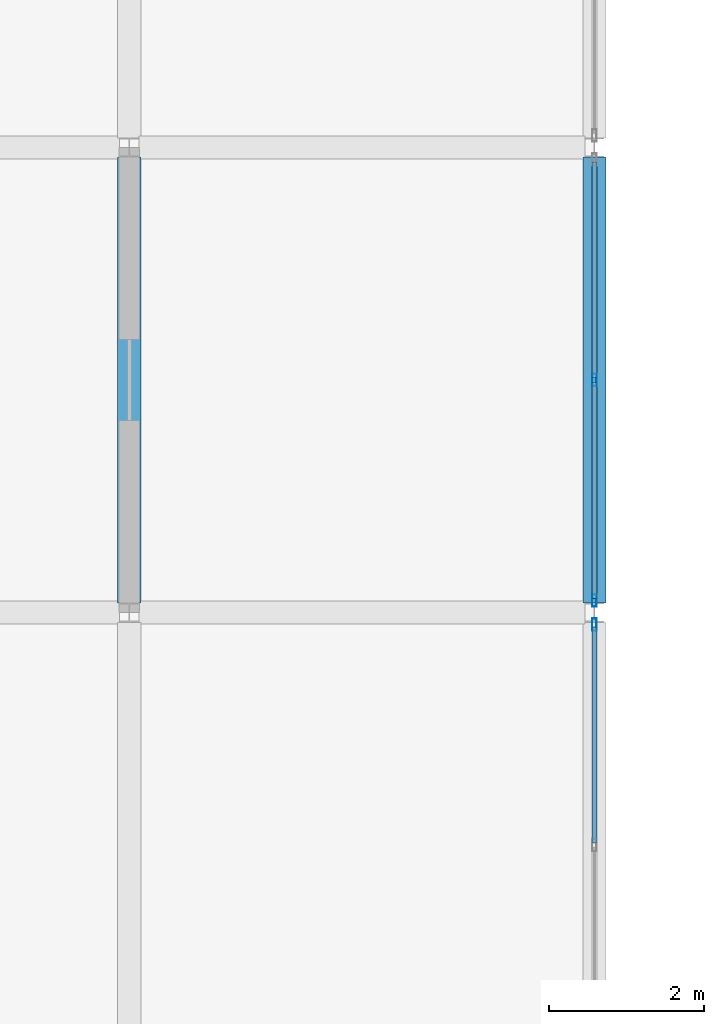
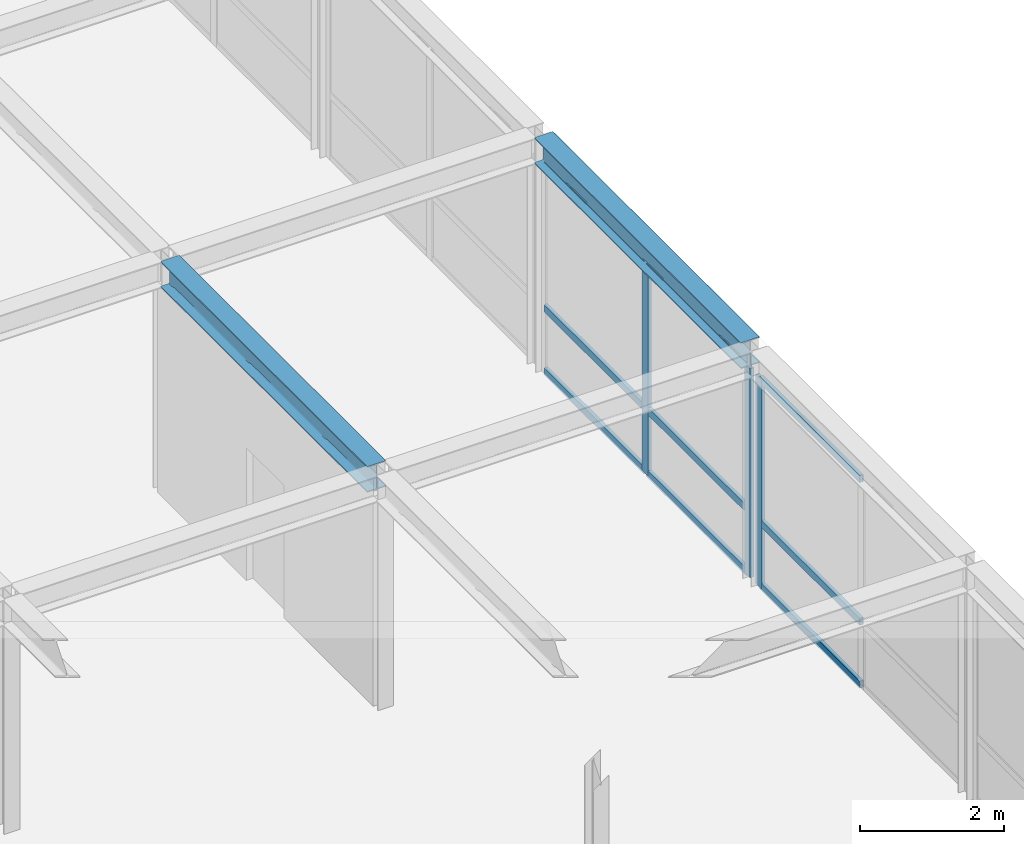
# One storey, part 66 of 111: 12 members, 2 beams, 2 elements without a shape of their own.
"""IFC4 building model written with IfcOpenShell, lengths in metres."""

from ifc_helpers import new_model, si_unit, direction, frame, origin, origin_2d, place, context, subcontext, project, spatial, hollow_rectangle, i_section, extrude, material, layer, layer_set, material_profile, profile_set, type_object, element, aggregate, save


model = new_model("IFC4")

# Units and contexts
model_context = context("Model", 3, precision=1e-05, world=origin(), true_north=direction((0.0, 1.0)))
body_context = subcontext(model_context, "Body", "Model", "MODEL_VIEW")
ifc_project = project(units=[si_unit("LENGTHUNIT", "METRE"), si_unit("AREAUNIT", "SQUARE_METRE"), si_unit("VOLUMEUNIT", "CUBIC_METRE"), si_unit("PLANEANGLEUNIT", "RADIAN"), si_unit("MASSUNIT", "GRAM", prefix="KILO")], contexts=[model_context])

# Site, building, storey
site_placement = place(None, origin())
site = spatial("IfcSite", under=ifc_project, at=site_placement, CompositionType="ELEMENT")
building_placement = place(site_placement, origin())
building = spatial("IfcBuilding", under=site, at=building_placement, Name="Zlatovratsky Civic Hall", CompositionType="ELEMENT")
storey_placement = place(building_placement, frame((0.0, 0.0, 16.5)))
storey = spatial("IfcBuildingStorey", under=building, at=storey_placement, Name="L04", CompositionType="ELEMENT", Elevation=16.5)

# Beams
ifc_material_1 = material(Name="Steel S355", Category="steel")
ifc_material_profile_1 = material_profile(ifc_material_1, i_section(OverallWidth=0.300048828125, OverallDepth=0.43994140625, WebThickness=0.010986328125, FlangeThickness=0.01806640625, FilletRadius=0.02197265625, at=origin_2d()), Name="45Sh1")
ifc_profile_set_1 = profile_set([ifc_material_profile_1], Name="Steel S355")
beam_type = type_object("IfcBeamType", Name="Beam_TowerLow_45Sh1", PredefinedType="BEAM", material=ifc_profile_set_1)
for number, where, z_axis, x_axis, name in (
    (1, (114.0, 42.125, 3.780029296875), (0.0, 1.0, 0.0), (-1.0, 0.0, 0.0), "BM-3727"),
    (2, (120.0, 42.125, 3.780029296875), (0.0, 1.0, 0.0), (-1.0, 0.0, 0.0), "BM-3744"),
):
    element("IfcBeam", number, at=place(storey_placement, frame(where, z_axis=z_axis, x_axis=x_axis)), inside=storey, type_object=beam_type, Name=name, PredefinedType="BEAM", context=body_context, shape_type="SweptSolid", body=[
        extrude(i_section(OverallWidth=0.300048828125, OverallDepth=0.43994140625, WebThickness=0.010986328125, FlangeThickness=0.01806640625, FilletRadius=0.02197265625, at=origin_2d()), origin(), (0.0, 0.0, 1.0), 5.75),
    ])

# Curtain wall, member
ifc_material_2 = material(Name="Anodised bronze aluminium", Category="aluminium")
ifc_layer = layer(ifc_material_2, 0.159912109375)
ifc_layer_set = layer_set([ifc_layer], Name="Anodised bronze aluminium")
curtain_wall_type = type_object("IfcCurtainWallType", Name="CurtainWall_Bronze_5750x3550_18", PredefinedType="NOTDEFINED", material=ifc_layer_set)
curtain_wall_1_placement = place(storey_placement, origin())
curtain_wall_1 = element("IfcCurtainWall", 3, at=curtain_wall_1_placement, inside=storey, type_object=curtain_wall_type, Name="CW-118", PredefinedType="NOTDEFINED")
ifc_material_profile_2 = material_profile(ifc_material_2, hollow_rectangle(XDim=0.06005859375, YDim=0.159912109375, WallThickness=0.00390625, at=origin_2d()), Name="ALU 60x160x4")
ifc_profile_set_2 = profile_set([ifc_material_profile_2], Name="Anodised bronze aluminium")
member_type_1 = type_object("IfcMemberType", Name="CW_Mullion_60x160", PredefinedType="MULLION", material=ifc_profile_set_2)
member_1_placement = place(storey_placement, frame((120.0, 41.844970703125, 0.0), z_axis=(0.0, 0.0, 1.0), x_axis=(-1.0, 0.0, 0.0)))
member_1 = element("IfcMember", 4, at=member_1_placement, type_object=member_type_1, Name="CW-18 mullion 3", PredefinedType="MULLION", context=body_context, shape_type="SweptSolid", body=[
    extrude(hollow_rectangle(XDim=0.06005859375, YDim=0.159912109375, WallThickness=0.00390625, at=origin_2d()), origin(), (0.0, 0.0, 1.0), 3.550048828125),
])

# Curtain wall, members
curtain_wall_2_placement = place(storey_placement, origin())
curtain_wall_2 = element("IfcCurtainWall", 5, at=curtain_wall_2_placement, inside=storey, type_object=curtain_wall_type, Name="CW-119", PredefinedType="NOTDEFINED")
member_2_placement = place(storey_placement, frame((120.0, 42.155029296875, 0.0), z_axis=(0.0, 0.0, 1.0), x_axis=(-1.0, 0.0, 0.0)))
member_2 = element("IfcMember", 6, at=member_2_placement, type_object=member_type_1, Name="CW-18 mullion 1", PredefinedType="MULLION", context=body_context, shape_type="SweptSolid", body=[
    extrude(hollow_rectangle(XDim=0.06005859375, YDim=0.159912109375, WallThickness=0.00390625, at=origin_2d()), origin(), (0.0, 0.0, 1.0), 3.550048828125),
])
member_3_placement = place(storey_placement, frame((120.0, 45.0, 0.0), z_axis=(0.0, 0.0, 1.0), x_axis=(-1.0, 0.0, 0.0)))
member_3 = element("IfcMember", 7, at=member_3_placement, type_object=member_type_1, Name="CW-18 mullion 2", PredefinedType="MULLION", context=body_context, shape_type="SweptSolid", body=[
    extrude(hollow_rectangle(XDim=0.06005859375, YDim=0.159912109375, WallThickness=0.00390625, at=origin_2d()), origin(), (0.0, 0.0, 1.0), 3.550048828125),
])

# Member
ifc_material_profile_3 = material_profile(ifc_material_2, hollow_rectangle(XDim=0.06005859375, YDim=0.1201171875, WallThickness=0.00390625, at=origin_2d()), Name="ALU 60x120x4")
ifc_profile_set_3 = profile_set([ifc_material_profile_3], Name="Anodised bronze aluminium")
member_type_2 = type_object("IfcMemberType", Name="CW_Transom_60x120", PredefinedType="USERDEFINED", material=ifc_profile_set_3)
member_4_placement = place(storey_placement, frame((120.0, 39.030029296875, 0.030029296875), z_axis=(0.0, 1.0, 0.0), x_axis=(-1.0, 0.0, 0.0)))
member_4 = element("IfcMember", 8, at=member_4_placement, type_object=member_type_2, Name="CW-18 transom 2.1", ObjectType="TRANSOM", PredefinedType="USERDEFINED", context=body_context, shape_type="SweptSolid", body=[
    extrude(hollow_rectangle(XDim=0.06005859375, YDim=0.1201171875, WallThickness=0.00390625, at=origin_2d()), origin(), (0.0, 0.0, 1.0), 2.784912109375),
])

member_5_placement = place(storey_placement, frame((120.0, 39.030029296875, 1.10009765625), z_axis=(0.0, 1.0, 0.0), x_axis=(-1.0, 0.0, 0.0)))
member_5 = element("IfcMember", 9, at=member_5_placement, type_object=member_type_2, Name="CW-18 transom 2.2", ObjectType="TRANSOM", PredefinedType="USERDEFINED", context=body_context, shape_type="SweptSolid", body=[
    extrude(hollow_rectangle(XDim=0.06005859375, YDim=0.1201171875, WallThickness=0.00390625, at=origin_2d()), origin(), (0.0, 0.0, 1.0), 2.784912109375),
])

member_6_placement = place(storey_placement, frame((120.0, 39.030029296875, 3.52001953125), z_axis=(0.0, 1.0, 0.0), x_axis=(-1.0, 0.0, 0.0)))
member_6 = element("IfcMember", 10, at=member_6_placement, type_object=member_type_2, Name="CW-18 transom 2.3", ObjectType="TRANSOM", PredefinedType="USERDEFINED", context=body_context, shape_type="SweptSolid", body=[
    extrude(hollow_rectangle(XDim=0.06005859375, YDim=0.1201171875, WallThickness=0.00390625, at=origin_2d()), origin(), (0.0, 0.0, 1.0), 2.784912109375),
])

aggregate(curtain_wall_1, [member_1, member_4, member_5, member_6])

member_7_placement = place(storey_placement, frame((120.0, 42.18505859375, 0.030029296875), z_axis=(0.0, 1.0, 0.0), x_axis=(-1.0, 0.0, 0.0)))
member_7 = element("IfcMember", 11, at=member_7_placement, type_object=member_type_2, Name="CW-18 transom 1.1", ObjectType="TRANSOM", PredefinedType="USERDEFINED", context=body_context, shape_type="SweptSolid", body=[
    extrude(hollow_rectangle(XDim=0.06005859375, YDim=0.1201171875, WallThickness=0.00390625, at=origin_2d()), origin(), (0.0, 0.0, 1.0), 2.784912109375),
])

member_8_placement = place(storey_placement, frame((120.0, 42.18505859375, 1.10009765625), z_axis=(0.0, 1.0, 0.0), x_axis=(-1.0, 0.0, 0.0)))
member_8 = element("IfcMember", 12, at=member_8_placement, type_object=member_type_2, Name="CW-18 transom 1.2", ObjectType="TRANSOM", PredefinedType="USERDEFINED", context=body_context, shape_type="SweptSolid", body=[
    extrude(hollow_rectangle(XDim=0.06005859375, YDim=0.1201171875, WallThickness=0.00390625, at=origin_2d()), origin(), (0.0, 0.0, 1.0), 2.784912109375),
])

member_9_placement = place(storey_placement, frame((120.0, 42.18505859375, 3.52001953125), z_axis=(0.0, 1.0, 0.0), x_axis=(-1.0, 0.0, 0.0)))
member_9 = element("IfcMember", 13, at=member_9_placement, type_object=member_type_2, Name="CW-18 transom 1.3", ObjectType="TRANSOM", PredefinedType="USERDEFINED", context=body_context, shape_type="SweptSolid", body=[
    extrude(hollow_rectangle(XDim=0.06005859375, YDim=0.1201171875, WallThickness=0.00390625, at=origin_2d()), origin(), (0.0, 0.0, 1.0), 2.784912109375),
])

member_10_placement = place(storey_placement, frame((120.0, 45.030029296875, 0.030029296875), z_axis=(0.0, 1.0, 0.0), x_axis=(-1.0, 0.0, 0.0)))
member_10 = element("IfcMember", 14, at=member_10_placement, type_object=member_type_2, Name="CW-18 transom 2.1", ObjectType="TRANSOM", PredefinedType="USERDEFINED", context=body_context, shape_type="SweptSolid", body=[
    extrude(hollow_rectangle(XDim=0.06005859375, YDim=0.1201171875, WallThickness=0.00390625, at=origin_2d()), origin(), (0.0, 0.0, 1.0), 2.784912109375),
])

member_11_placement = place(storey_placement, frame((120.0, 45.030029296875, 1.10009765625), z_axis=(0.0, 1.0, 0.0), x_axis=(-1.0, 0.0, 0.0)))
member_11 = element("IfcMember", 15, at=member_11_placement, type_object=member_type_2, Name="CW-18 transom 2.2", ObjectType="TRANSOM", PredefinedType="USERDEFINED", context=body_context, shape_type="SweptSolid", body=[
    extrude(hollow_rectangle(XDim=0.06005859375, YDim=0.1201171875, WallThickness=0.00390625, at=origin_2d()), origin(), (0.0, 0.0, 1.0), 2.784912109375),
])

member_12_placement = place(storey_placement, frame((120.0, 45.030029296875, 3.52001953125), z_axis=(0.0, 1.0, 0.0), x_axis=(-1.0, 0.0, 0.0)))
member_12 = element("IfcMember", 16, at=member_12_placement, type_object=member_type_2, Name="CW-18 transom 2.3", ObjectType="TRANSOM", PredefinedType="USERDEFINED", context=body_context, shape_type="SweptSolid", body=[
    extrude(hollow_rectangle(XDim=0.06005859375, YDim=0.1201171875, WallThickness=0.00390625, at=origin_2d()), origin(), (0.0, 0.0, 1.0), 2.784912109375),
])

aggregate(curtain_wall_2, [member_2, member_3, member_7, member_8, member_9, member_10, member_11, member_12])

save(model, "model.ifc")
